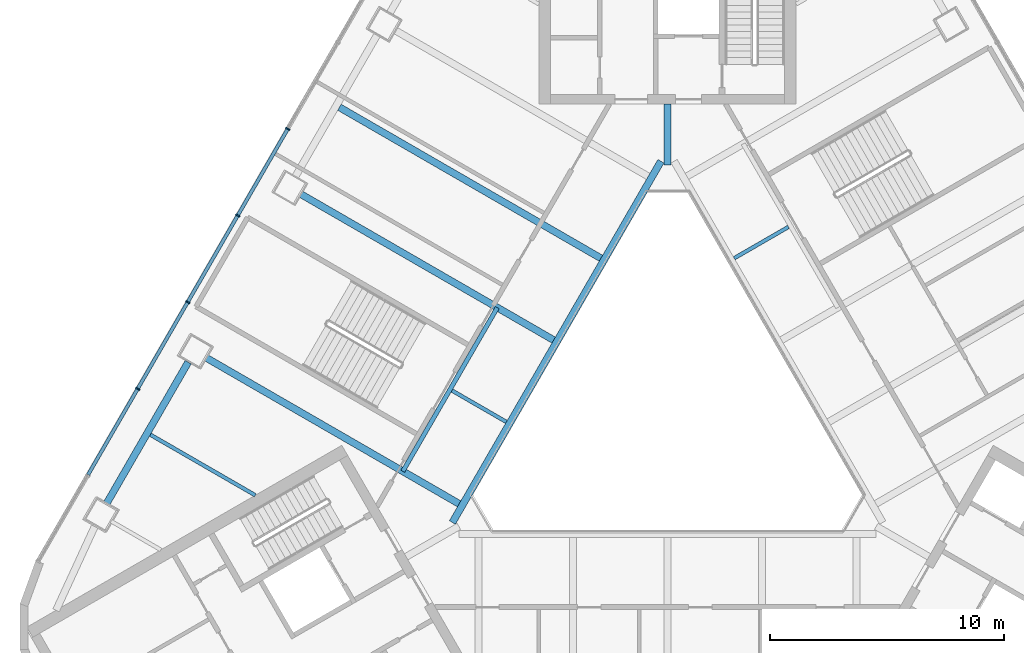
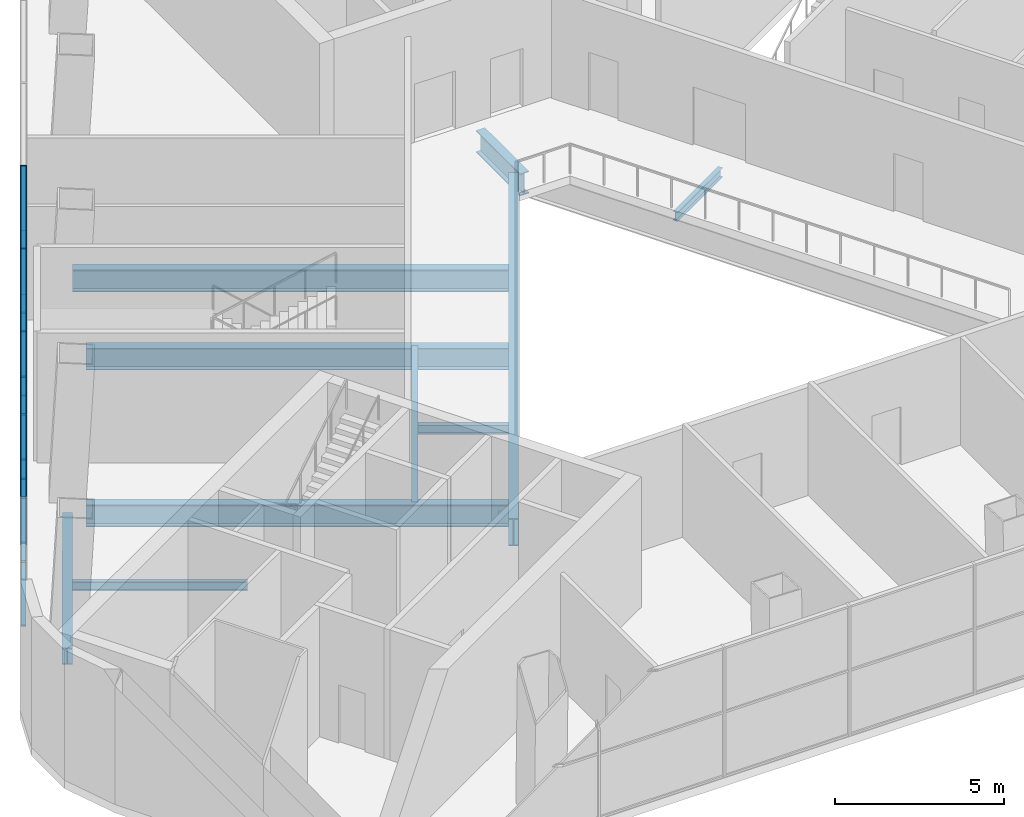
# One storey, part 3 of 13: 16 members, 10 beams, 1 element without a shape of its own.
"""IFC4 building model written with IfcOpenShell, lengths in metres."""

from ifc_helpers import new_model, si_unit, direction, frame, origin, origin_2d, place, context, subcontext, project, spatial, rectangle, i_section, extrude, material, layer, layer_set, material_profile, profile_set, type_object, element, aggregate, save


model = new_model("IFC4")

# Units and contexts
model_context = context("Model", 3, precision=1e-05, world=origin(), true_north=direction((0.0, 1.0)))
body_context = subcontext(model_context, "Body", "Model", "MODEL_VIEW")
ifc_project = project(units=[si_unit("LENGTHUNIT", "METRE"), si_unit("AREAUNIT", "SQUARE_METRE"), si_unit("VOLUMEUNIT", "CUBIC_METRE"), si_unit("PLANEANGLEUNIT", "RADIAN"), si_unit("MASSUNIT", "GRAM", prefix="KILO")], contexts=[model_context])

# Site, building, storey
site_placement = place(None, origin())
site = spatial("IfcSite", under=ifc_project, at=site_placement, CompositionType="ELEMENT")
building_placement = place(site_placement, origin())
building = spatial("IfcBuilding", under=site, at=building_placement, Name="Apuvela Tower Hotel", CompositionType="ELEMENT")
storey_placement = place(building_placement, frame((0.0, 0.0, 23.5)))
storey = spatial("IfcBuildingStorey", under=building, at=storey_placement, Name="L03", CompositionType="ELEMENT", Elevation=23.5)

# Curtain wall, members
ifc_material_1 = material(Name="Aluminium 6063-T6, dark bronze anodised", Category="aluminium")
ifc_layer = layer(ifc_material_1, 0.199951171875)
ifc_layer_set = layer_set([ifc_layer], Name="ENV-CW-P")
curtain_wall_type = type_object("IfcCurtainWallType", Name="ENV-CW-P", PredefinedType="NOTDEFINED", material=ifc_layer_set)
curtain_wall_placement = place(storey_placement, origin())
curtain_wall = element("IfcCurtainWall", 1, at=curtain_wall_placement, inside=storey, type_object=curtain_wall_type, Name="Curtain wall CW-P NW L03", PredefinedType="NOTDEFINED")
ifc_material_profile_1 = material_profile(ifc_material_1, rectangle(XDim=0.199951171875, YDim=0.06494140625, at=origin_2d()), Name="AL 65x200")
ifc_profile_set_1 = profile_set([ifc_material_profile_1], Name="Aluminium 6063-T6, dark bronze anodised")
member_type_1 = type_object("IfcMemberType", Name="ENV-MULLION-65x200", PredefinedType="MULLION", material=ifc_profile_set_1)
member_1_placement = place(storey_placement, frame((-16.230712890625, 11.839599609375, 0.0), z_axis=(0.0, 0.0, 1.0), x_axis=(0.866025577183, -0.499999699665, 0.0)))
member_1 = element("IfcMember", 2, at=member_1_placement, type_object=member_type_1, Name="CW-P mullion 5", PredefinedType="MULLION", context=body_context, shape_type="SweptSolid", body=[
    extrude(rectangle(XDim=0.199951171875, YDim=0.06494140625, at=origin_2d()), origin(), (0.0, 0.0, 1.0), 4.699951171875),
])
member_2_placement = place(storey_placement, frame((-18.368896484375, 8.13623046875, 0.0), z_axis=(0.0, 0.0, 1.0), x_axis=(0.866025577183, -0.499999699665, 0.0)))
member_2 = element("IfcMember", 3, at=member_2_placement, type_object=member_type_1, Name="CW-P mullion 6", PredefinedType="MULLION", context=body_context, shape_type="SweptSolid", body=[
    extrude(rectangle(XDim=0.199951171875, YDim=0.06494140625, at=origin_2d()), origin(), (0.0, 0.0, 1.0), 4.699951171875),
])
member_3_placement = place(storey_placement, frame((-20.507080078125, 4.432861328125, 0.0), z_axis=(0.0, 0.0, 1.0), x_axis=(0.866025577183, -0.499999699665, 0.0)))
member_3 = element("IfcMember", 4, at=member_3_placement, type_object=member_type_1, Name="CW-P mullion 7", PredefinedType="MULLION", context=body_context, shape_type="SweptSolid", body=[
    extrude(rectangle(XDim=0.199951171875, YDim=0.06494140625, at=origin_2d()), origin(), (0.0, 0.0, 1.0), 4.699951171875),
])
member_4_placement = place(storey_placement, frame((-22.64501953125, 0.7294921875, 0.0), z_axis=(0.0, 0.0, 1.0), x_axis=(0.866025577183, -0.499999699665, 0.0)))
member_4 = element("IfcMember", 5, at=member_4_placement, type_object=member_type_1, Name="CW-P mullion 8", PredefinedType="MULLION", context=body_context, shape_type="SweptSolid", body=[
    extrude(rectangle(XDim=0.199951171875, YDim=0.06494140625, at=origin_2d()), origin(), (0.0, 0.0, 1.0), 4.699951171875),
])
ifc_material_profile_2 = material_profile(ifc_material_1, rectangle(XDim=0.14990234375, YDim=0.06494140625, at=origin_2d()), Name="AL 65x150 transom")
ifc_profile_set_2 = profile_set([ifc_material_profile_2], Name="Aluminium 6063-T6, dark bronze anodised")
member_type_2 = type_object("IfcMemberType", Name="ENV-TRANSOM-65x150", PredefinedType="USERDEFINED", material=ifc_profile_set_2)
member_5_placement = place(storey_placement, frame((-16.246826171875, 11.8115234375, 0.032470703125), z_axis=(-0.500023552179, -0.866011805501, 0.0), x_axis=(0.866011805501, -0.500023552179, 0.0)))
member_5 = element("IfcMember", 6, at=member_5_placement, type_object=member_type_2, Name="CW-P transom 5.1", ObjectType="TRANSOM", PredefinedType="USERDEFINED", context=body_context, shape_type="SweptSolid", body=[
    extrude(rectangle(XDim=0.14990234375, YDim=0.06494140625, at=origin_2d()), origin(), (0.0, 0.0, 1.0), 4.211181640625),
])
member_6_placement = place(storey_placement, frame((-16.246826171875, 11.8115234375, 2.35009765625), z_axis=(-0.500023552179, -0.866011805501, 0.0), x_axis=(0.866011805501, -0.500023552179, 0.0)))
member_6 = element("IfcMember", 7, at=member_6_placement, type_object=member_type_2, Name="CW-P transom 5.2", ObjectType="TRANSOM", PredefinedType="USERDEFINED", context=body_context, shape_type="SweptSolid", body=[
    extrude(rectangle(XDim=0.14990234375, YDim=0.06494140625, at=origin_2d()), origin(), (0.0, 0.0, 1.0), 4.211181640625),
])
member_7_placement = place(storey_placement, frame((-16.246826171875, 11.8115234375, 4.66748046875), z_axis=(-0.500023552179, -0.866011805501, 0.0), x_axis=(0.866011805501, -0.500023552179, 0.0)))
member_7 = element("IfcMember", 8, at=member_7_placement, type_object=member_type_2, Name="CW-P transom 5.3", ObjectType="TRANSOM", PredefinedType="USERDEFINED", context=body_context, shape_type="SweptSolid", body=[
    extrude(rectangle(XDim=0.14990234375, YDim=0.06494140625, at=origin_2d()), origin(), (0.0, 0.0, 1.0), 4.211181640625),
])
member_8_placement = place(storey_placement, frame((-18.385009765625, 8.108154296875, 0.032470703125), z_axis=(-0.500023552179, -0.866011805501, 0.0), x_axis=(0.866011805501, -0.500023552179, 0.0)))
member_8 = element("IfcMember", 9, at=member_8_placement, type_object=member_type_2, Name="CW-P transom 6.1", ObjectType="TRANSOM", PredefinedType="USERDEFINED", context=body_context, shape_type="SweptSolid", body=[
    extrude(rectangle(XDim=0.14990234375, YDim=0.06494140625, at=origin_2d()), origin(), (0.0, 0.0, 1.0), 4.211181640625),
])
member_9_placement = place(storey_placement, frame((-18.385009765625, 8.108154296875, 2.35009765625), z_axis=(-0.500023552179, -0.866011805501, 0.0), x_axis=(0.866011805501, -0.500023552179, 0.0)))
member_9 = element("IfcMember", 10, at=member_9_placement, type_object=member_type_2, Name="CW-P transom 6.2", ObjectType="TRANSOM", PredefinedType="USERDEFINED", context=body_context, shape_type="SweptSolid", body=[
    extrude(rectangle(XDim=0.14990234375, YDim=0.06494140625, at=origin_2d()), origin(), (0.0, 0.0, 1.0), 4.211181640625),
])
member_10_placement = place(storey_placement, frame((-18.385009765625, 8.108154296875, 4.66748046875), z_axis=(-0.500023552179, -0.866011805501, 0.0), x_axis=(0.866011805501, -0.500023552179, 0.0)))
member_10 = element("IfcMember", 11, at=member_10_placement, type_object=member_type_2, Name="CW-P transom 6.3", ObjectType="TRANSOM", PredefinedType="USERDEFINED", context=body_context, shape_type="SweptSolid", body=[
    extrude(rectangle(XDim=0.14990234375, YDim=0.06494140625, at=origin_2d()), origin(), (0.0, 0.0, 1.0), 4.211181640625),
])
member_11_placement = place(storey_placement, frame((-20.523193359375, 4.40478515625, 0.032470703125), z_axis=(-0.500023552179, -0.866011805501, 0.0), x_axis=(0.866011805501, -0.500023552179, 0.0)))
member_11 = element("IfcMember", 12, at=member_11_placement, type_object=member_type_2, Name="CW-P transom 7.1", ObjectType="TRANSOM", PredefinedType="USERDEFINED", context=body_context, shape_type="SweptSolid", body=[
    extrude(rectangle(XDim=0.14990234375, YDim=0.06494140625, at=origin_2d()), origin(), (0.0, 0.0, 1.0), 4.211181640625),
])
member_12_placement = place(storey_placement, frame((-20.523193359375, 4.40478515625, 2.35009765625), z_axis=(-0.500023552179, -0.866011805501, 0.0), x_axis=(0.866011805501, -0.500023552179, 0.0)))
member_12 = element("IfcMember", 13, at=member_12_placement, type_object=member_type_2, Name="CW-P transom 7.2", ObjectType="TRANSOM", PredefinedType="USERDEFINED", context=body_context, shape_type="SweptSolid", body=[
    extrude(rectangle(XDim=0.14990234375, YDim=0.06494140625, at=origin_2d()), origin(), (0.0, 0.0, 1.0), 4.211181640625),
])
member_13_placement = place(storey_placement, frame((-20.523193359375, 4.40478515625, 4.66748046875), z_axis=(-0.500023552179, -0.866011805501, 0.0), x_axis=(0.866011805501, -0.500023552179, 0.0)))
member_13 = element("IfcMember", 14, at=member_13_placement, type_object=member_type_2, Name="CW-P transom 7.3", ObjectType="TRANSOM", PredefinedType="USERDEFINED", context=body_context, shape_type="SweptSolid", body=[
    extrude(rectangle(XDim=0.14990234375, YDim=0.06494140625, at=origin_2d()), origin(), (0.0, 0.0, 1.0), 4.211181640625),
])
member_14_placement = place(storey_placement, frame((-22.661376953125, 0.701416015625, 0.032470703125), z_axis=(-0.500023552179, -0.866011805501, 0.0), x_axis=(0.866011805501, -0.500023552179, 0.0)))
member_14 = element("IfcMember", 15, at=member_14_placement, type_object=member_type_2, Name="CW-P transom 8.1", ObjectType="TRANSOM", PredefinedType="USERDEFINED", context=body_context, shape_type="SweptSolid", body=[
    extrude(rectangle(XDim=0.14990234375, YDim=0.06494140625, at=origin_2d()), origin(), (0.0, 0.0, 1.0), 4.211181640625),
])
member_15_placement = place(storey_placement, frame((-22.661376953125, 0.701416015625, 2.35009765625), z_axis=(-0.500023552179, -0.866011805501, 0.0), x_axis=(0.866011805501, -0.500023552179, 0.0)))
member_15 = element("IfcMember", 16, at=member_15_placement, type_object=member_type_2, Name="CW-P transom 8.2", ObjectType="TRANSOM", PredefinedType="USERDEFINED", context=body_context, shape_type="SweptSolid", body=[
    extrude(rectangle(XDim=0.14990234375, YDim=0.06494140625, at=origin_2d()), origin(), (0.0, 0.0, 1.0), 4.211181640625),
])
member_16_placement = place(storey_placement, frame((-22.661376953125, 0.701416015625, 4.66748046875), z_axis=(-0.500023552179, -0.866011805501, 0.0), x_axis=(0.866011805501, -0.500023552179, 0.0)))
member_16 = element("IfcMember", 17, at=member_16_placement, type_object=member_type_2, Name="CW-P transom 8.3", ObjectType="TRANSOM", PredefinedType="USERDEFINED", context=body_context, shape_type="SweptSolid", body=[
    extrude(rectangle(XDim=0.14990234375, YDim=0.06494140625, at=origin_2d()), origin(), (0.0, 0.0, 1.0), 4.211181640625),
])
aggregate(curtain_wall, [member_1, member_2, member_3, member_4, member_5, member_6, member_7, member_8, member_9, member_10, member_11, member_12, member_13, member_14, member_15, member_16])

# Beams
ifc_material_2 = material(Name="Steel S355", Category="steel")
ifc_material_profile_3 = material_profile(ifc_material_2, i_section(OverallWidth=0.300048828125, OverallDepth=0.7900390625, WebThickness=0.014892578125, FlangeThickness=0.028076171875, at=origin_2d()), Name="HE 800 A")
ifc_profile_set_3 = profile_set([ifc_material_profile_3], Name="Steel S355")
beam_type_1 = type_object("IfcBeamType", Name="STR-B floor beam HE 800 A", PredefinedType="BEAM", material=ifc_profile_set_3)
beam_1_placement = place(storey_placement, frame((-14.024169921875, 12.761474609375, -0.695068359375), z_axis=(0.866030575006, -0.499991043074, 0.0), x_axis=(0.499991043074, 0.866030575006, 0.0)))
element("IfcBeam", 18, at=beam_1_placement, inside=storey, type_object=beam_type_1, Name="Floor beam B5 NW4", PredefinedType="BEAM", context=body_context, shape_type="SweptSolid", body=[
    extrude(i_section(OverallWidth=0.300048828125, OverallDepth=0.7900390625, WebThickness=0.014892578125, FlangeThickness=0.028076171875, at=origin_2d()), origin(), (0.0, 0.0, 1.0), 12.904052734375),
])
beam_2_placement = place(storey_placement, frame((-15.697509765625, 9.06298828125, -0.695068359375), z_axis=(0.866023660758, -0.500003018999, 0.0), x_axis=(0.500003018999, 0.866023660758, 0.0)))
element("IfcBeam", 19, at=beam_2_placement, inside=storey, type_object=beam_type_1, Name="Floor beam B5 NW5", PredefinedType="BEAM", context=body_context, shape_type="SweptSolid", body=[
    extrude(i_section(OverallWidth=0.300048828125, OverallDepth=0.7900390625, WebThickness=0.014892578125, FlangeThickness=0.028076171875, at=origin_2d()), origin(), (0.0, 0.0, 1.0), 12.50390625),
])
beam_3_placement = place(storey_placement, frame((-19.7373046875, 2.06591796875, -0.695068359375), z_axis=(0.866028542009, -0.499994564396, 0.0), x_axis=(0.499994564396, 0.866028542009, 0.0)))
element("IfcBeam", 20, at=beam_3_placement, inside=storey, type_object=beam_type_1, Name="Floor beam B5 NW7", PredefinedType="BEAM", context=body_context, shape_type="SweptSolid", body=[
    extrude(i_section(OverallWidth=0.300048828125, OverallDepth=0.7900390625, WebThickness=0.014892578125, FlangeThickness=0.028076171875, at=origin_2d()), origin(), (0.0, 0.0, 1.0), 12.504150390625),
])
ifc_material_profile_4 = material_profile(ifc_material_2, i_section(OverallWidth=0.159912109375, OverallDepth=0.330078125, WebThickness=0.007568359375, FlangeThickness=0.011474609375, at=origin_2d()), Name="IPE 330")
ifc_profile_set_4 = profile_set([ifc_material_profile_4], Name="Steel S355")
beam_type_2 = type_object("IfcBeamType", Name="STR-B floor beam IPE 330", PredefinedType="BEAM", material=ifc_profile_set_4)
beam_4_placement = place(storey_placement, frame((5.168212890625, 7.6484375, -0.465087890625), z_axis=(-0.866058069904, -0.499943416353, 0.0), x_axis=(0.499943416353, -0.866058069904, 0.0)))
element("IfcBeam", 21, at=beam_4_placement, inside=storey, type_object=beam_type_2, Name="Floor beam B1 NE6", PredefinedType="BEAM", context=body_context, shape_type="SweptSolid", body=[
    extrude(i_section(OverallWidth=0.159912109375, OverallDepth=0.330078125, WebThickness=0.007568359375, FlangeThickness=0.011474609375, at=origin_2d()), origin(), (0.0, 0.0, 1.0), 2.677978515625),
])
beam_5_placement = place(storey_placement, frame((-9.2080078125, 0.651611328125, -0.465087890625), z_axis=(0.866018596809, -0.500011789842, 0.0), x_axis=(0.500011789842, 0.866018596809, 0.0)))
element("IfcBeam", 22, at=beam_5_placement, inside=storey, type_object=beam_type_2, Name="Floor beam B1 NW6", PredefinedType="BEAM", context=body_context, shape_type="SweptSolid", body=[
    extrude(i_section(OverallWidth=0.159912109375, OverallDepth=0.330078125, WebThickness=0.007568359375, FlangeThickness=0.011474609375, at=origin_2d()), origin(), (0.0, 0.0, 1.0), 2.67822265625),
])
beam_6_placement = place(storey_placement, frame((-22.103515625, -1.232666015625, -0.465087890625), z_axis=(0.866041118699, -0.499972779981, 0.0), x_axis=(0.499972779981, 0.866041118699, 0.0)))
element("IfcBeam", 23, at=beam_6_placement, inside=storey, type_object=beam_type_2, Name="Floor beam B1 NW8", PredefinedType="BEAM", context=body_context, shape_type="SweptSolid", body=[
    extrude(i_section(OverallWidth=0.159912109375, OverallDepth=0.330078125, WebThickness=0.007568359375, FlangeThickness=0.011474609375, at=origin_2d()), origin(), (0.0, 0.0, 1.0), 5.177978515625),
])
ifc_material_profile_5 = material_profile(ifc_material_2, i_section(OverallWidth=0.302001953125, OverallDepth=1.008056640625, WebThickness=0.02099609375, FlangeThickness=0.0400390625, at=origin_2d()), Name="HE 1000 M")
ifc_profile_set_5 = profile_set([ifc_material_profile_5], Name="Steel S355")
beam_type_3 = type_object("IfcBeamType", Name="STR-G atrium ring girder HE 1000 M", PredefinedType="BEAM", material=ifc_profile_set_5)
beam_7_placement = place(storey_placement, frame((-0.28076171875, 10.455810546875, -0.803955078125), z_axis=(-0.500000611842, -0.866025050537, 0.0), x_axis=(0.866025050537, -0.500000611842, 0.0)))
element("IfcBeam", 24, at=beam_7_placement, inside=storey, type_object=beam_type_3, Name="Atrium ring girder G1 N-SW", PredefinedType="BEAM", context=body_context, shape_type="SweptSolid", body=[
    extrude(i_section(OverallWidth=0.302001953125, OverallDepth=1.008056640625, WebThickness=0.02099609375, FlangeThickness=0.0400390625, at=origin_2d()), origin(), (0.0, 0.0, 1.0), 17.8291015625),
])
ifc_material_profile_6 = material_profile(ifc_material_2, i_section(OverallWidth=0.300048828125, OverallDepth=0.800048828125, WebThickness=0.017578125, FlangeThickness=0.032958984375, at=origin_2d()), Name="HE 800 B")
ifc_profile_set_6 = profile_set([ifc_material_profile_6], Name="Steel S355")
beam_type_4 = type_object("IfcBeamType", Name="STR-GT core tie beam HE 800 B", PredefinedType="BEAM", material=ifc_profile_set_6)
beam_8_placement = place(storey_placement, frame((0.0, 12.89990234375, -0.699951171875), z_axis=(0.0, -1.0, 0.0), x_axis=(1.0, 0.0, 0.0)))
element("IfcBeam", 25, at=beam_8_placement, inside=storey, type_object=beam_type_4, Name="Core tie beam GT1 N", PredefinedType="BEAM", context=body_context, shape_type="SweptSolid", body=[
    extrude(i_section(OverallWidth=0.300048828125, OverallDepth=0.800048828125, WebThickness=0.017578125, FlangeThickness=0.032958984375, at=origin_2d()), origin(), (0.0, 0.0, 1.0), 2.599853515625),
])
ifc_material_profile_7 = material_profile(ifc_material_2, i_section(OverallWidth=0.300048828125, OverallDepth=0.60009765625, WebThickness=0.015380859375, FlangeThickness=0.030029296875, at=origin_2d()), Name="HE 600 B")
ifc_profile_set_7 = profile_set([ifc_material_profile_7], Name="Steel S355")
beam_type_5 = type_object("IfcBeamType", Name="STR-SB spandrel beam HE 600 B", PredefinedType="SPANDREL", material=ifc_profile_set_7)
beam_9_placement = place(storey_placement, frame((-20.488525390625, 1.864501953125, -0.60009765625), z_axis=(-0.500040385343, -0.86600208604, 0.0), x_axis=(0.86600208604, -0.500040385343, 0.0)))
element("IfcBeam", 26, at=beam_9_placement, inside=storey, type_object=beam_type_5, Name="Spandrel beam SB1 NW4", PredefinedType="SPANDREL", context=body_context, shape_type="SweptSolid", body=[
    extrude(i_section(OverallWidth=0.300048828125, OverallDepth=0.60009765625, WebThickness=0.015380859375, FlangeThickness=0.030029296875, at=origin_2d()), origin(), (0.0, 0.0, 1.0), 6.9794921875),
])
ifc_material_profile_8 = material_profile(ifc_material_2, i_section(OverallWidth=0.18994140625, OverallDepth=0.449951171875, WebThickness=0.009521484375, FlangeThickness=0.0146484375, at=origin_2d()), Name="IPE 450")
ifc_profile_set_8 = profile_set([ifc_material_profile_8], Name="Steel S355")
beam_type_6 = type_object("IfcBeamType", Name="STR-TB stair trimmer beam IPE 450", PredefinedType="BEAM", material=ifc_profile_set_8)
beam_10_placement = place(storey_placement, frame((-7.274658203125, 4.199951171875, -0.52490234375), z_axis=(-0.50000320192, -0.866023555147, 0.0), x_axis=(0.866023555147, -0.50000320192, 0.0)))
element("IfcBeam", 27, at=beam_10_placement, inside=storey, type_object=beam_type_6, Name="Stair trimmer beam TB3 PS2", PredefinedType="BEAM", context=body_context, shape_type="SweptSolid", body=[
    extrude(i_section(OverallWidth=0.18994140625, OverallDepth=0.449951171875, WebThickness=0.009521484375, FlangeThickness=0.0146484375, at=origin_2d()), origin(), (0.0, 0.0, 1.0), 8.07958984375),
])

save(model, "model.ifc")
